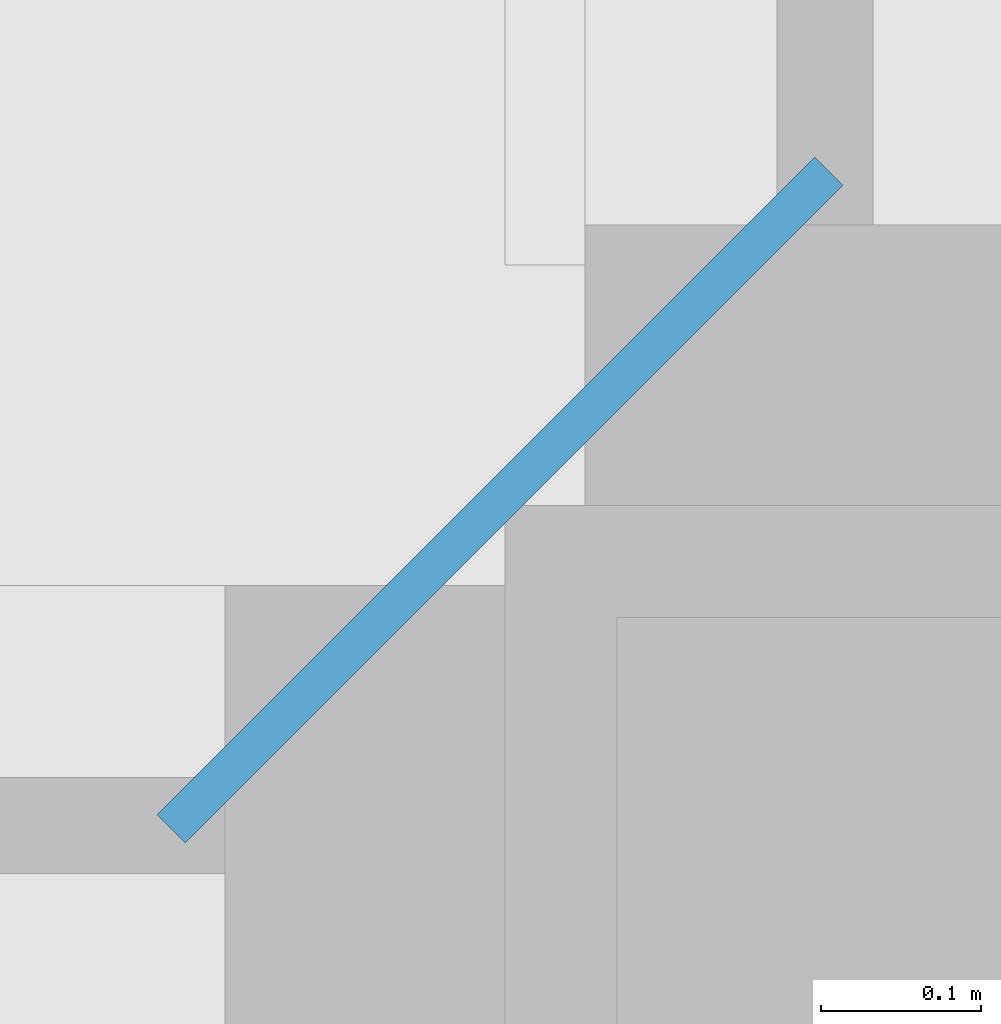
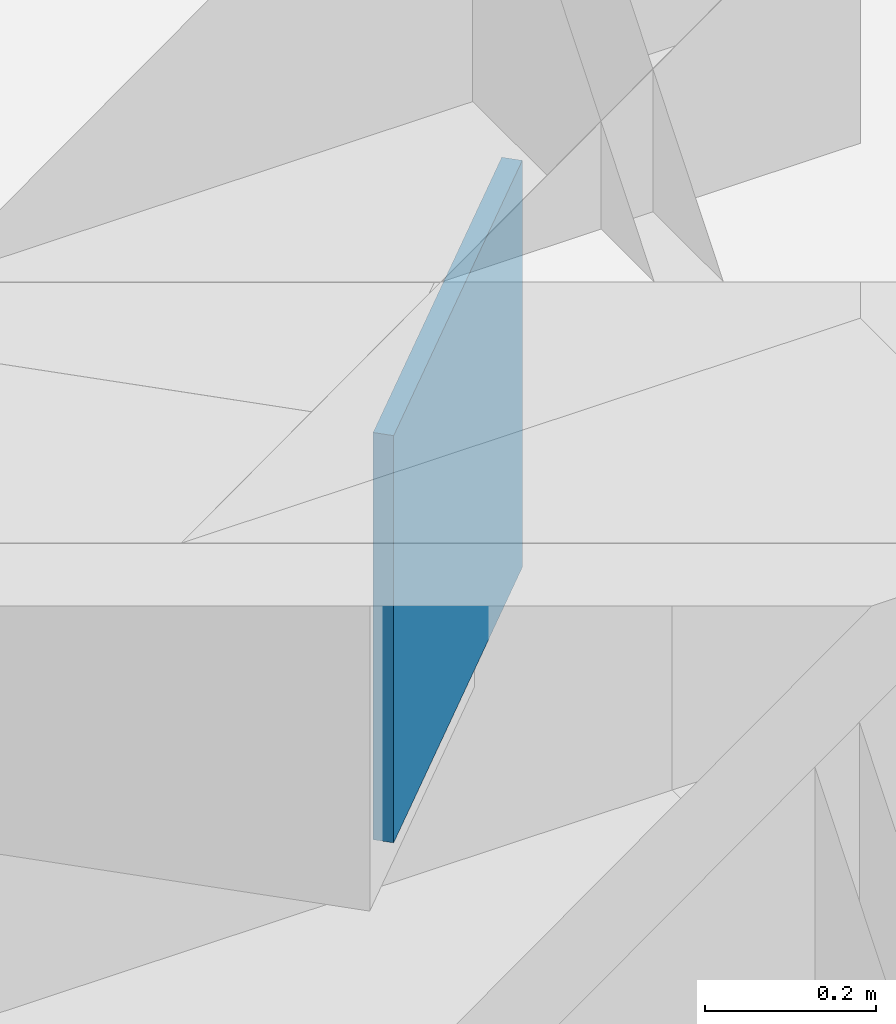
# One storey, part 4 of 15: 1 plate.
"""IFC4 building model written with IfcOpenShell, lengths in metres."""

from ifc_helpers import new_model, si_unit, direction, frame, origin, origin_2d, place, context, subcontext, project, spatial, rectangle, extrude, material, layer, layer_set, type_object, element, save


model = new_model("IFC4")

# Units and contexts
model_context = context("Model", 3, precision=1e-05, world=origin(), true_north=direction((0.0, 1.0)))
body_context = subcontext(model_context, "Body", "Model", "MODEL_VIEW")
ifc_project = project(units=[si_unit("LENGTHUNIT", "METRE"), si_unit("AREAUNIT", "SQUARE_METRE"), si_unit("VOLUMEUNIT", "CUBIC_METRE"), si_unit("PLANEANGLEUNIT", "RADIAN"), si_unit("MASSUNIT", "GRAM", prefix="KILO")], contexts=[model_context])

# Site, building, storey
site_placement = place(None, origin())
site = spatial("IfcSite", under=ifc_project, at=site_placement, CompositionType="ELEMENT")
building_placement = place(site_placement, origin())
building = spatial("IfcBuilding", under=site, at=building_placement, Name="Kopane Lantern Tower", CompositionType="ELEMENT")
storey_placement = place(building_placement, frame((0.0, 0.0, 242.39990234375)))
storey = spatial("IfcBuildingStorey", under=building, at=storey_placement, Name="L62", CompositionType="ELEMENT", Elevation=242.39990234375)

# Plate
ifc_material = material(Name="Steel S355JR", Category="steel")
ifc_layer = layer(ifc_material, 0.02490234375)
ifc_layer_set = layer_set([ifc_layer], Name="STEEL END CAP PLATE PL25")
plate_type = type_object("IfcPlateType", Name="STEEL END CAP PLATE PL25", PredefinedType="USERDEFINED", material=ifc_layer_set)
plate_placement = place(storey_placement, frame((52.296875, 20.603271484375, -0.890380859375), z_axis=(0.0, 0.0, 1.0), x_axis=(0.707106781187, -0.707106781187, 0.0)))
element("IfcPlate", 1, at=plate_placement, inside=storey, type_object=plate_type, Name="Corner tie beam end cap plate L62", ObjectType="PLATE", PredefinedType="USERDEFINED", context=body_context, shape_type="SweptSolid", body=[
    extrude(rectangle(XDim=0.02490234375, YDim=0.5810546875, at=origin_2d()), origin(), (0.0, 0.0, 1.0), 0.5810546875),
])

save(model, "model.ifc")
